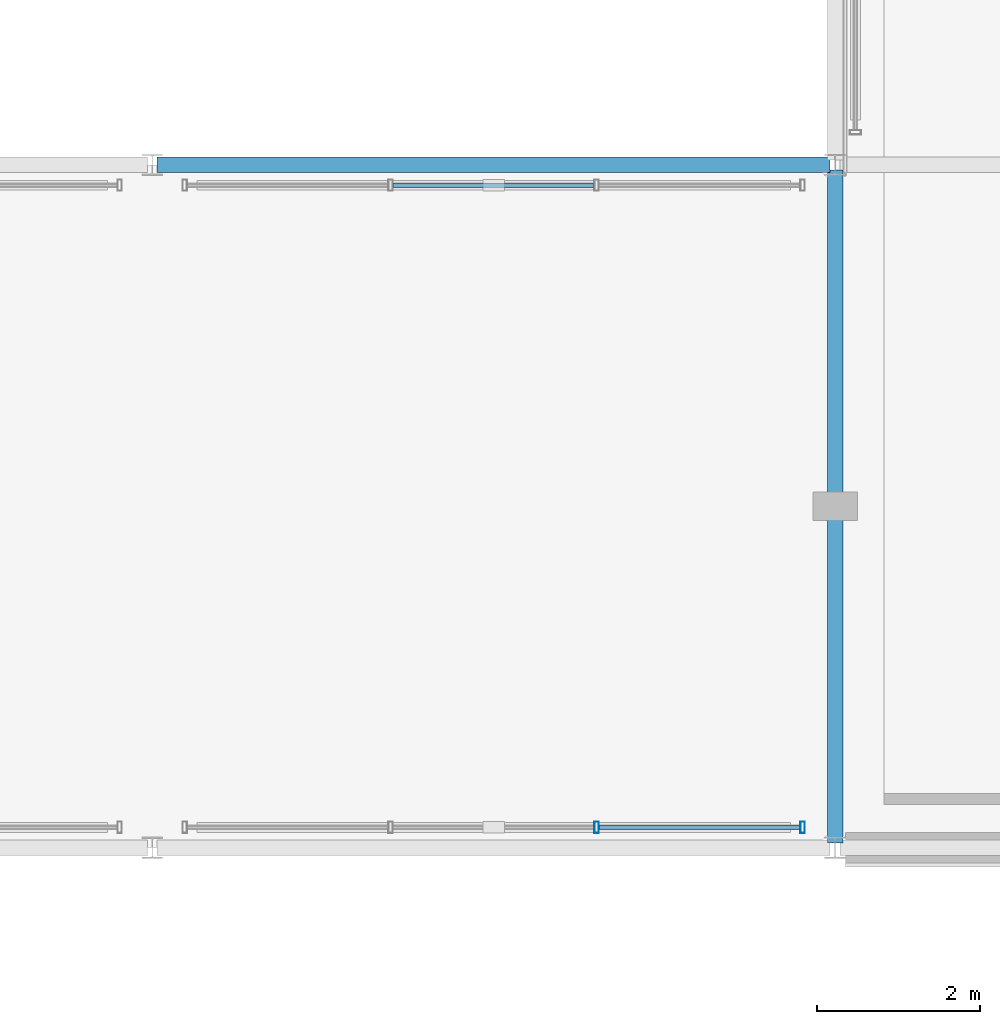
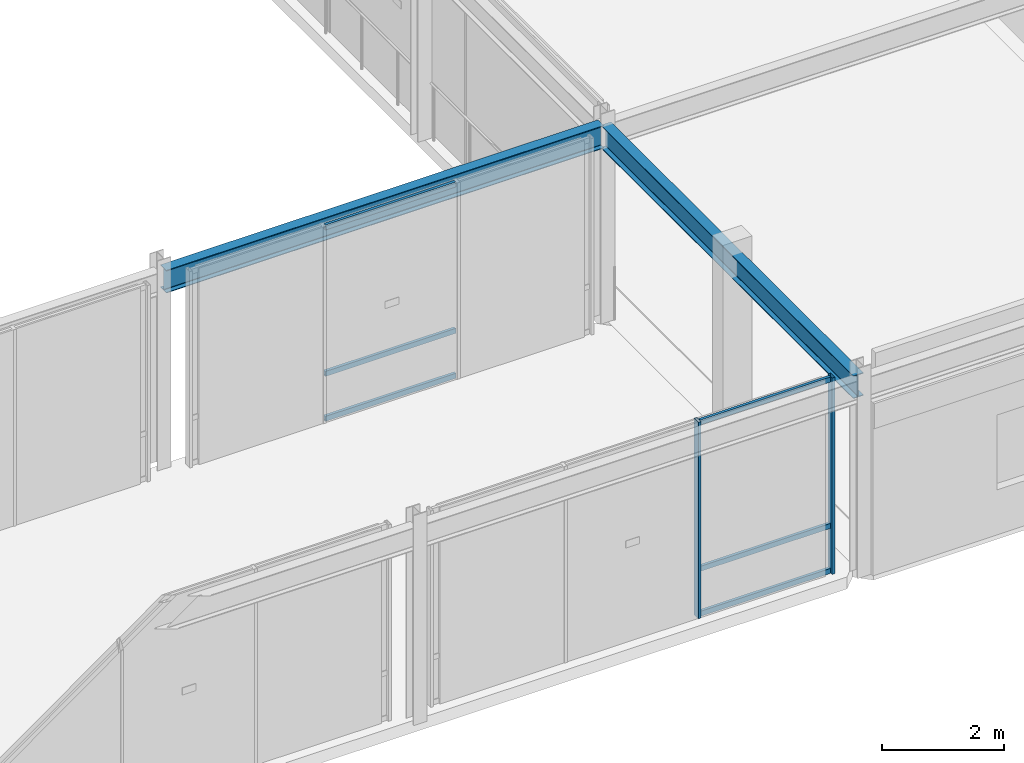
# One storey, part 28 of 152: 8 members, 2 beams, 2 elements without a shape of their own.
"""IFC4 building model written with IfcOpenShell, lengths in metres."""

import ifcopenshell
import ifcopenshell.guid

model = None  # the IFC model being written
_history = None  # IfcOwnerHistory: only IFC2X3 demands one
_inside = {}  # id of a spatial element -> (the spatial element, [elements in it])
_under = {}  # id of a project, library or spatial element -> (it, [spatial elements below it])
_declared = {}  # id of a project -> (the project, [libraries it declares])
_typed = {}  # id of a type object -> (the type object, [elements of that type])
_made_of = {}  # id of a material, layer set ... -> (it, [elements and type objects made of it])


def new_model(schema):
    """Start an empty IFC model of exactly this schema.

    Asked for "IFC4X3", IfcOpenShell would pick the latest addendum, in which some entities
    have other attributes; the version numbers below select the first issue.
    IFC2X3 requires an IfcOwnerHistory on every rooted entity: one is made here for all.
    """
    global model, _history
    if schema == "IFC4X3":
        model = ifcopenshell.file(schema_version=(4, 3, 0, 0))
    else:
        model = ifcopenshell.file(schema=schema)
    _inside.clear()
    _under.clear()
    _declared.clear()
    _typed.clear()
    _made_of.clear()
    _history = None
    if model.schema == "IFC2X3":
        org = make("IfcOrganization", Name="unknown")
        user = make(
            "IfcPersonAndOrganization",
            ThePerson=make("IfcPerson", FamilyName="unknown"),
            TheOrganization=org,
        )
        app = make(
            "IfcApplication",
            ApplicationDeveloper=org,
            Version="unknown",
            ApplicationFullName="unknown",
            ApplicationIdentifier="unknown",
        )
        _history = make(
            "IfcOwnerHistory",
            OwningUser=user,
            OwningApplication=app,
            ChangeAction="ADDED",
            CreationDate=0,
        )
    return model


def make(cls, **values):
    """One entity of the class cls with the attributes given. An attribute that is None is left unset."""
    return model.create_entity(
        cls, **{name: value for name, value in values.items() if value is not None}
    )


def rooted(cls, **values):
    """An entity with a GlobalId (a new one), such as an element, a storey or a relation."""
    return make(cls, GlobalId=ifcopenshell.guid.new(), OwnerHistory=_history, **values)


def si_unit(unit_type, name, prefix=None):
    """IfcSIUnit, for example si_unit("LENGTHUNIT", "METRE", prefix="MILLI")."""
    return make("IfcSIUnit", UnitType=unit_type, Prefix=prefix, Name=name)


def assignment(units):
    """IfcUnitAssignment: the units of a project."""
    return None if units is None else make("IfcUnitAssignment", Units=units)


def point(xyz):
    """IfcCartesianPoint."""
    return None if xyz is None else make("IfcCartesianPoint", Coordinates=xyz)


def direction(xyz):
    """IfcDirection."""
    return None if xyz is None else make("IfcDirection", DirectionRatios=xyz)


def frame(location, z_axis=None, x_axis=None):
    """IfcAxis2Placement3D, a coordinate frame: its origin and axes. An axis left out is left unset."""
    return make(
        "IfcAxis2Placement3D",
        Location=point(location),
        Axis=direction(z_axis),
        RefDirection=direction(x_axis),
    )


def frame_2d(location, x_axis=None):
    """IfcAxis2Placement2D, a coordinate frame in the plane: its origin and x axis."""
    return make(
        "IfcAxis2Placement2D", Location=point(location), RefDirection=direction(x_axis)
    )


def origin():
    """The frame at (0, 0, 0) with its axes left unset."""
    return frame((0.0, 0.0, 0.0))


def origin_2d():
    """The frame at (0, 0) in the plane with its x axis left unset."""
    return frame_2d((0.0, 0.0))


def place(relative_to, where):
    """IfcLocalPlacement: puts the frame where relative to a parent placement (None: the world)."""
    return make(
        "IfcLocalPlacement", PlacementRelTo=relative_to, RelativePlacement=where
    )


def context(
    kind, dimensions, precision=None, world=None, true_north=None, identifier=None
):
    """IfcGeometricRepresentationContext, for example the 3D "Model" context."""
    return make(
        "IfcGeometricRepresentationContext",
        ContextIdentifier=identifier,
        ContextType=kind,
        CoordinateSpaceDimension=dimensions,
        Precision=precision,
        WorldCoordinateSystem=world,
        TrueNorth=true_north,
    )


def subcontext(parent, identifier, kind, view, scale=None):
    """IfcGeometricRepresentationSubContext, for example "Body" below "Model"."""
    return make(
        "IfcGeometricRepresentationSubContext",
        ContextIdentifier=identifier,
        ContextType=kind,
        ParentContext=parent,
        TargetScale=scale,
        TargetView=view,
    )


def project(units=None, contexts=None):
    """IfcProject with its units and contexts."""
    return rooted(
        "IfcProject",
        Name="project",
        RepresentationContexts=contexts,
        UnitsInContext=assignment(units),
    )


def spatial(cls, under=None, at=None, **own):
    """A site, building, storey or space (cls), placed at a placement, below another one or the project."""
    s = rooted(cls, ObjectPlacement=at, **own)
    if under is not None:
        _under.setdefault(under.id(), (under, []))[1].append(s)
    return s


def profile(cls, at=None, kind="AREA", **sizes):
    """A parametric profile (cls). Its sizes go by their IFC names, for example OverallWidth=200.0."""
    return make(cls, ProfileType=kind, Position=at, **sizes)


def hollow_rectangle(**sizes):
    """IfcRectangleHollowProfileDef."""
    return profile("IfcRectangleHollowProfileDef", **sizes)


def i_section(**sizes):
    """IfcIShapeProfileDef."""
    return profile("IfcIShapeProfileDef", **sizes)


def extrude(swept, where, along, depth):
    """IfcExtrudedAreaSolid: the profile swept, set in the frame where, extruded along a direction by depth."""
    return make(
        "IfcExtrudedAreaSolid",
        SweptArea=swept,
        Position=where,
        ExtrudedDirection=direction(along),
        Depth=depth,
    )


def shape(context_of_items, identifier, shape_type, items):
    """IfcShapeRepresentation: the items that make up one representation, for example the "Body"."""
    return make(
        "IfcShapeRepresentation",
        ContextOfItems=context_of_items,
        RepresentationIdentifier=identifier,
        RepresentationType=shape_type,
        Items=items,
    )


def material(Name=None, Category=None):
    """IfcMaterial."""
    return make("IfcMaterial", Name=Name, Category=Category)


def material_profile(
    of_material, cross_section, Name=None, Category=None, Priority=None
):
    """IfcMaterialProfile: a cross section and its material."""
    return make(
        "IfcMaterialProfile",
        Name=Name,
        Material=of_material,
        Profile=cross_section,
        Priority=Priority,
        Category=Category,
    )


def profile_set(profiles, Name=None, composite=None):
    """IfcMaterialProfileSet."""
    return make(
        "IfcMaterialProfileSet",
        Name=Name,
        MaterialProfiles=profiles,
        CompositeProfile=composite,
    )


def made_of(thing, what):
    """Note that an element or type object is made of a material, layer set ...; save() writes the relation."""
    if what is not None:
        _made_of.setdefault(what.id(), (what, []))[1].append(thing)
    return thing


def type_object(cls, material=None, **own):
    """A type object (cls), such as IfcWallType, which elements share."""
    return made_of(rooted(cls, **own), material)


def element(
    cls,
    number,
    at=None,
    inside=None,
    cuts=None,
    type_object=None,
    material=None,
    context=None,
    identifier="Body",
    shape_type=None,
    held_by="IfcProductDefinitionShape",
    body=None,
    shapes=None,
    **own,
):
    """One element of the class cls, such as IfcWall. Its Tag is "e" and its number.

    at: its placement. inside: the storey or other place that contains it. cuts: it is an
    opening in that element (IfcRelVoidsElement). A single representation is given by context,
    identifier, shape_type and body (its items); several are given by shapes. held_by: the class
    of the entity that holds the representations. save() writes the other relations.
    """
    e = rooted(cls, Tag="e%d" % number, ObjectPlacement=at, **own)
    if body is not None:
        shapes = [shape(context, identifier, shape_type, body)]
    if shapes is not None:
        e.Representation = make(held_by, Representations=shapes)
    if inside is not None:
        _inside.setdefault(inside.id(), (inside, []))[1].append(e)
    if cuts is not None:
        rooted(
            "IfcRelVoidsElement", RelatingBuildingElement=cuts, RelatedOpeningElement=e
        )
    if type_object is not None:
        _typed.setdefault(type_object.id(), (type_object, []))[1].append(e)
    return made_of(e, material)


def aggregate(whole, parts):
    """IfcRelAggregates: a whole, such as a stair, and the parts it consists of."""
    return rooted("IfcRelAggregates", RelatingObject=whole, RelatedObjects=parts)


def save(model, path):
    """Write the relations noted so far, then the file.

    IfcRelAggregates (storeys below a building ...), IfcRelContainedInSpatialStructure (elements
    in a storey), IfcRelDefinesByType, IfcRelAssociatesMaterial and IfcRelDeclares: one each for
    every whole, place, type object, material and project.
    """
    for whole, parts in _under.values():
        aggregate(whole, parts)
    for where, things in _inside.values():
        rooted(
            "IfcRelContainedInSpatialStructure",
            RelatedElements=things,
            RelatingStructure=where,
        )
    for kind, things in _typed.values():
        rooted("IfcRelDefinesByType", RelatedObjects=things, RelatingType=kind)
    for what, things in _made_of.values():
        rooted("IfcRelAssociatesMaterial", RelatedObjects=things, RelatingMaterial=what)
    for by, libraries in _declared.values():
        rooted("IfcRelDeclares", RelatingContext=by, RelatedDefinitions=libraries)
    model.write(path)


model = new_model("IFC4")

# Units and contexts
model_context = context("Model", 3, precision=1e-05, world=origin(), true_north=direction((0.0, 1.0)))
body_context = subcontext(model_context, "Body", "Model", "MODEL_VIEW")
ifc_project = project(units=[si_unit("LENGTHUNIT", "METRE"), si_unit("AREAUNIT", "SQUARE_METRE"), si_unit("VOLUMEUNIT", "CUBIC_METRE"), si_unit("PLANEANGLEUNIT", "RADIAN"), si_unit("MASSUNIT", "GRAM", prefix="KILO"), si_unit("THERMODYNAMICTEMPERATUREUNIT", "KELVIN"), si_unit("POWERUNIT", "WATT")], contexts=[model_context])

# Site, building, storey
site_placement = place(None, origin())
site = spatial("IfcSite", under=ifc_project, at=site_placement, CompositionType="ELEMENT")
building_placement = place(site_placement, origin())
building = spatial("IfcBuilding", under=site, at=building_placement, Name="Darbajah Civic Hall", CompositionType="ELEMENT")
storey_placement = place(building_placement, frame((0.0, 0.0, 5.39990234375)))
storey = spatial("IfcBuildingStorey", under=building, at=storey_placement, Name="L01", CompositionType="ELEMENT", Elevation=5.39990234375)

# Curtain wall, members
ifc_material_1 = material(Name="Anodised Bronze Aluminium and Low-E Glazing", Category="aluminium")
curtain_wall_type = type_object("IfcCurtainWallType", Name="Unitised Curtain Wall CW-103 7600x3950", PredefinedType="USERDEFINED", material=ifc_material_1)
curtain_wall_1_placement = place(storey_placement, origin())
curtain_wall_1 = element("IfcCurtainWall", 1, at=curtain_wall_1_placement, inside=storey, type_object=curtain_wall_type, Name="L01 unitised curtain wall CW-V6-SW-S2-L01", ObjectType="UNITISED CURTAIN WALL", PredefinedType="USERDEFINED")
ifc_material_2 = material(Name="Anodised Bronze Aluminium", Category="aluminium")
ifc_material_profile_1 = material_profile(ifc_material_2, hollow_rectangle(XDim=0.054931640625, YDim=0.139892578125, WallThickness=0.003173828125, at=origin_2d()), Name="ALU MULLION 55x140")
ifc_profile_set_1 = profile_set([ifc_material_profile_1], Name="Anodised Bronze Aluminium")
member_type_1 = type_object("IfcMemberType", Name="ALU MULLION 55x140", PredefinedType="MULLION", material=ifc_profile_set_1)
member_1_placement = place(storey_placement, frame((81.066650390625, 33.85009765625, 0.0), z_axis=(0.0, 0.0, 1.0), x_axis=(1.0, 0.0, 0.0)))
member_1 = element("IfcMember", 2, at=member_1_placement, type_object=member_type_1, Name="CW-V6-SW-S2-L01 mullion 3", PredefinedType="MULLION", context=body_context, shape_type="SweptSolid", body=[
    extrude(hollow_rectangle(XDim=0.054931640625, YDim=0.139892578125, WallThickness=0.003173828125, at=origin_2d()), origin(), (0.0, 0.0, 1.0), 3.93017578125),
])
member_2_placement = place(storey_placement, frame((83.60009765625, 33.85009765625, 0.0), z_axis=(0.0, 0.0, 1.0), x_axis=(1.0, 0.0, 0.0)))
member_2 = element("IfcMember", 3, at=member_2_placement, type_object=member_type_1, Name="CW-V6-SW-S2-L01 mullion 4", PredefinedType="MULLION", context=body_context, shape_type="SweptSolid", body=[
    extrude(hollow_rectangle(XDim=0.054931640625, YDim=0.139892578125, WallThickness=0.003173828125, at=origin_2d()), origin(), (0.0, 0.0, 1.0), 3.93017578125),
])
ifc_material_profile_2 = material_profile(ifc_material_2, hollow_rectangle(XDim=0.054931640625, YDim=0.10009765625, WallThickness=0.0029296875, at=origin_2d()), Name="ALU TRANSOM 55x100")
ifc_profile_set_2 = profile_set([ifc_material_profile_2], Name="Anodised Bronze Aluminium")
member_type_2 = type_object("IfcMemberType", Name="ALU TRANSOM 55x100", PredefinedType="USERDEFINED", material=ifc_profile_set_2)
member_3_placement = place(storey_placement, frame((81.09912109375, 33.85009765625, 0.050048828125), z_axis=(1.0, 0.0, 0.0), x_axis=(0.0, 1.0, 0.0)))
member_3 = element("IfcMember", 4, at=member_3_placement, type_object=member_type_2, Name="CW-V6-SW-S2-L01 transom 3.1", ObjectType="TRANSOM", PredefinedType="USERDEFINED", context=body_context, shape_type="SweptSolid", body=[
    extrude(hollow_rectangle(XDim=0.054931640625, YDim=0.10009765625, WallThickness=0.0029296875, at=origin_2d()), origin(), (0.0, 0.0, 1.0), 2.46826171875),
])
member_4_placement = place(storey_placement, frame((81.09912109375, 33.85009765625, 0.9501953125), z_axis=(1.0, 0.0, 0.0), x_axis=(0.0, 1.0, 0.0)))
member_4 = element("IfcMember", 5, at=member_4_placement, type_object=member_type_2, Name="CW-V6-SW-S2-L01 transom 3.2", ObjectType="TRANSOM", PredefinedType="USERDEFINED", context=body_context, shape_type="SweptSolid", body=[
    extrude(hollow_rectangle(XDim=0.054931640625, YDim=0.10009765625, WallThickness=0.0029296875, at=origin_2d()), origin(), (0.0, 0.0, 1.0), 2.46826171875),
])
member_5_placement = place(storey_placement, frame((81.09912109375, 33.85009765625, 3.880126953125), z_axis=(1.0, 0.0, 0.0), x_axis=(0.0, 1.0, 0.0)))
member_5 = element("IfcMember", 6, at=member_5_placement, type_object=member_type_2, Name="CW-V6-SW-S2-L01 transom 3.3", ObjectType="TRANSOM", PredefinedType="USERDEFINED", context=body_context, shape_type="SweptSolid", body=[
    extrude(hollow_rectangle(XDim=0.054931640625, YDim=0.10009765625, WallThickness=0.0029296875, at=origin_2d()), origin(), (0.0, 0.0, 1.0), 2.46826171875),
])
aggregate(curtain_wall_1, [member_1, member_2, member_3, member_4, member_5])

curtain_wall_2_placement = place(storey_placement, origin())
curtain_wall_2 = element("IfcCurtainWall", 7, at=curtain_wall_2_placement, inside=storey, type_object=curtain_wall_type, Name="L01 unitised curtain wall CW-V6-SW-N2-L01", ObjectType="UNITISED CURTAIN WALL", PredefinedType="USERDEFINED")
member_6_placement = place(storey_placement, frame((78.56591796875, 41.75, 0.050048828125), z_axis=(1.0, 0.0, 0.0), x_axis=(0.0, 1.0, 0.0)))
member_6 = element("IfcMember", 8, at=member_6_placement, type_object=member_type_2, Name="CW-V6-SW-N2-L01 transom 2.1", ObjectType="TRANSOM", PredefinedType="USERDEFINED", context=body_context, shape_type="SweptSolid", body=[
    extrude(hollow_rectangle(XDim=0.054931640625, YDim=0.10009765625, WallThickness=0.0029296875, at=origin_2d()), origin(), (0.0, 0.0, 1.0), 2.46826171875),
])
member_7_placement = place(storey_placement, frame((78.56591796875, 41.75, 0.9501953125), z_axis=(1.0, 0.0, 0.0), x_axis=(0.0, 1.0, 0.0)))
member_7 = element("IfcMember", 9, at=member_7_placement, type_object=member_type_2, Name="CW-V6-SW-N2-L01 transom 2.2", ObjectType="TRANSOM", PredefinedType="USERDEFINED", context=body_context, shape_type="SweptSolid", body=[
    extrude(hollow_rectangle(XDim=0.054931640625, YDim=0.10009765625, WallThickness=0.0029296875, at=origin_2d()), origin(), (0.0, 0.0, 1.0), 2.46826171875),
])
member_8_placement = place(storey_placement, frame((78.56591796875, 41.75, 3.880126953125), z_axis=(1.0, 0.0, 0.0), x_axis=(0.0, 1.0, 0.0)))
member_8 = element("IfcMember", 10, at=member_8_placement, type_object=member_type_2, Name="CW-V6-SW-N2-L01 transom 2.3", ObjectType="TRANSOM", PredefinedType="USERDEFINED", context=body_context, shape_type="SweptSolid", body=[
    extrude(hollow_rectangle(XDim=0.054931640625, YDim=0.10009765625, WallThickness=0.0029296875, at=origin_2d()), origin(), (0.0, 0.0, 1.0), 2.46826171875),
])
aggregate(curtain_wall_2, [member_6, member_7, member_8])

# Beams
ifc_material_3 = material(Name="Steel S355JR", Category="steel")
ifc_material_profile_3 = material_profile(ifc_material_3, i_section(OverallWidth=0.1904296875, OverallDepth=0.45703125, WebThickness=0.009033203125, FlangeThickness=0.014404296875, FilletRadius=0.01025390625, at=origin_2d()), Name="UB 457x191x74")
ifc_profile_set_3 = profile_set([ifc_material_profile_3], Name="Steel S355JR")
beam_type = type_object("IfcBeamType", Name="UB 457x191x74", PredefinedType="BEAM", material=ifc_profile_set_3)
for number, where, z_axis, x_axis, name in (
    (11, (75.659912109375, 42.0, 3.70166015625), (1.0, 0.0, 0.0), (0.0, 1.0, 0.0), "L01 beam SB-457"),
    (12, (84.0, 33.659912109375, 3.70166015625), (0.0, 1.0, 0.0), (-1.0, 0.0, 0.0), "L01 beam SB-457"),
):
    element("IfcBeam", number, at=place(storey_placement, frame(where, z_axis=z_axis, x_axis=x_axis)), inside=storey, type_object=beam_type, Name=name, PredefinedType="BEAM", context=body_context, shape_type="SweptSolid", body=[
        extrude(i_section(OverallWidth=0.1904296875, OverallDepth=0.45703125, WebThickness=0.009033203125, FlangeThickness=0.014404296875, FilletRadius=0.01025390625, at=origin_2d()), origin(), (0.0, 0.0, 1.0), 8.280029296875),
    ])

save(model, "model.ifc")
